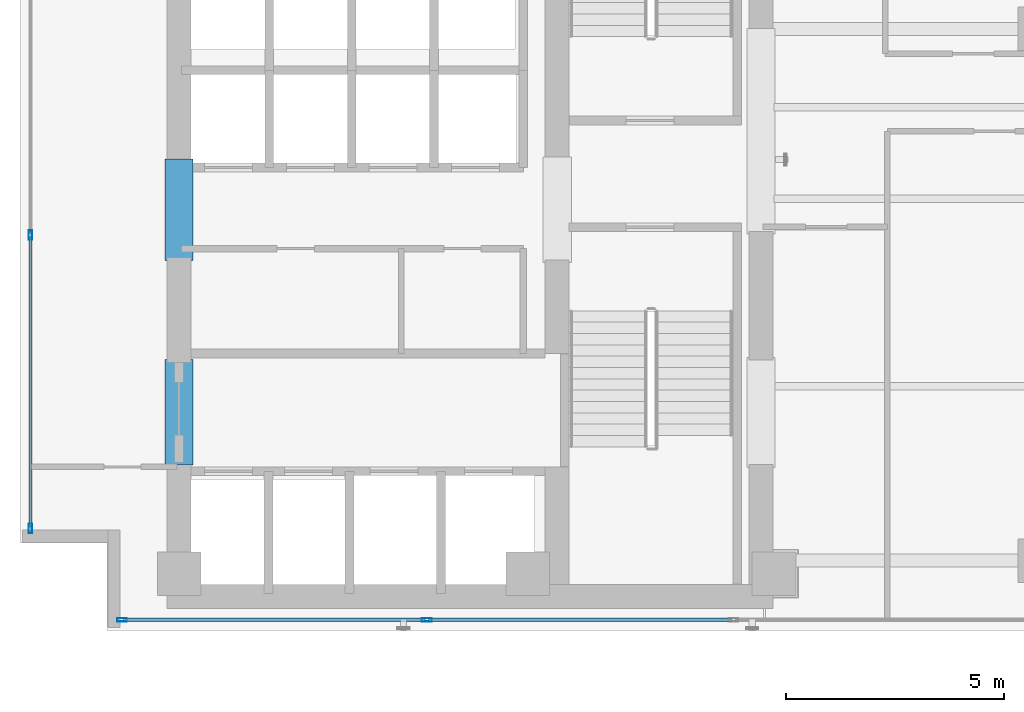
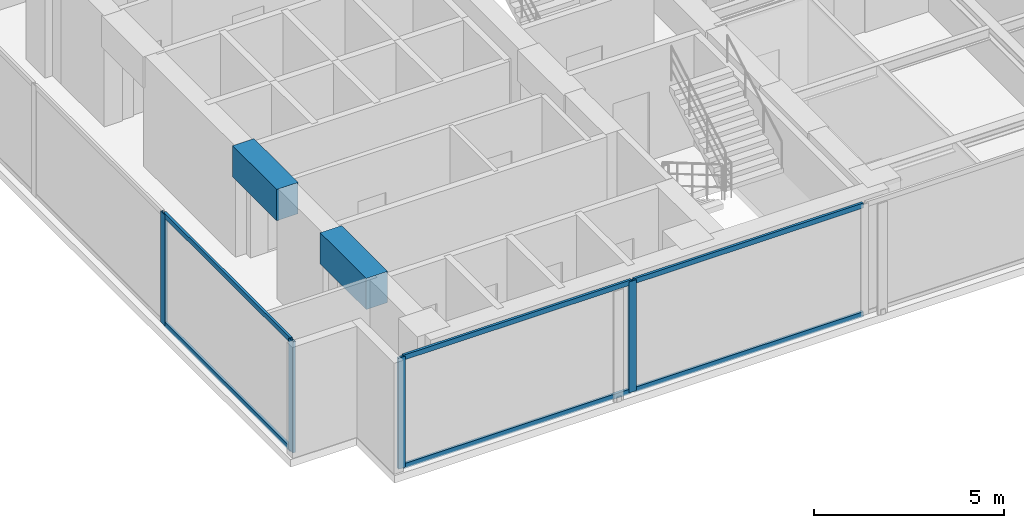
# One storey, part 2 of 23: 10 members, 2 beams, 2 elements without a shape of their own.
"""IFC4 building model written with IfcOpenShell, lengths in metres."""

from ifc_helpers import new_model, si_unit, direction, frame, origin, origin_with_axes, origin_2d, place, context, subcontext, project, spatial, rectangle, hollow_rectangle, extrude, source, transform, mapped, material, layer, layer_set, material_profile, profile_set, type_object, element, aggregate, save


model = new_model("IFC4")

# Units and contexts
model_context = context("Model", 3, precision=1e-05, world=origin(), true_north=direction((0.0, 1.0)))
body_context = subcontext(model_context, "Body", "Model", "MODEL_VIEW")
ifc_project = project(units=[si_unit("LENGTHUNIT", "METRE"), si_unit("AREAUNIT", "SQUARE_METRE"), si_unit("VOLUMEUNIT", "CUBIC_METRE"), si_unit("PLANEANGLEUNIT", "RADIAN"), si_unit("MASSUNIT", "GRAM", prefix="KILO")], contexts=[model_context])

# Site, building, storey
site_placement = place(None, origin())
site = spatial("IfcSite", under=ifc_project, at=site_placement, CompositionType="ELEMENT")
building_placement = place(site_placement, origin())
building = spatial("IfcBuilding", under=site, at=building_placement, Name="Kolvaren Waterfront Exchange", CompositionType="ELEMENT")
storey_placement = place(building_placement, frame((0.0, 0.0, 212.10009765625)))
storey = spatial("IfcBuildingStorey", under=building, at=storey_placement, Name="L54", CompositionType="ELEMENT", Elevation=212.10009765625)

# Beams
ifc_material_1 = material(Name="Concrete C60/75", Category="concrete")
ifc_material_profile_1 = material_profile(ifc_material_1, rectangle(XDim=0.64990234375, YDim=1.0, at=origin_2d()), Name="RC-CB-1000x650")
ifc_profile_set_1 = profile_set([ifc_material_profile_1], Name="Concrete C60/75")
beam_type = type_object("IfcBeamType", Name="STR-CB-1000", PredefinedType="SPANDREL", material=ifc_profile_set_1)
beam_1_placement = place(storey_placement, frame((7.449951171875, 7.389892578125, 3.059814453125), z_axis=(0.0, 1.0, 0.0), x_axis=(-1.0, 0.0, 0.0)))
element("IfcBeam", 1, at=beam_1_placement, inside=storey, type_object=beam_type, Name="L54 core coupling beam 3", PredefinedType="SPANDREL", context=body_context, shape_type="SweptSolid", body=[
    extrude(rectangle(XDim=0.64990234375, YDim=1.0, at=origin_2d()), origin(), (0.0, 0.0, 1.0), 2.420166015625),
])
beam_2_placement = place(storey_placement, frame((7.449951171875, 12.090087890625, 3.059814453125), z_axis=(0.0, 1.0, 0.0), x_axis=(-1.0, 0.0, 0.0)))
element("IfcBeam", 2, at=beam_2_placement, inside=storey, type_object=beam_type, Name="L54 core coupling beam 4", PredefinedType="SPANDREL", context=body_context, shape_type="SweptSolid", body=[
    extrude(rectangle(XDim=0.64990234375, YDim=1.0, at=origin_2d()), origin(), (0.0, 0.0, 1.0), 2.31982421875),
])

# Curtain wall, members
ifc_material_2 = material(Name="Anodised aluminium 6063-T6", Category="aluminium")
ifc_layer_1 = layer(ifc_material_2, 0.219970703125, Name="Anodised aluminium 6063-T6")
ifc_layer_set_1 = layer_set([ifc_layer_1], Name="Anodised aluminium 6063-T6")
curtain_wall_type_1 = type_object("IfcCurtainWallType", Name="ARC-CW-SYS2", PredefinedType="USERDEFINED", material=ifc_layer_set_1)
curtain_wall_1_placement = place(storey_placement, origin())
curtain_wall_1 = element("IfcCurtainWall", 3, at=curtain_wall_1_placement, inside=storey, type_object=curtain_wall_type_1, Name="L54 stick curtain wall CW2 (CW-L54-W)", ObjectType="STICK CURTAIN WALL", PredefinedType="USERDEFINED")
ifc_material_profile_2 = material_profile(ifc_material_2, hollow_rectangle(XDim=0.074951171875, YDim=0.159912109375, WallThickness=0.00439453125, at=origin_2d()), Name="ALU-TRN-160x75x4.5")
ifc_profile_set_2 = profile_set([ifc_material_profile_2], Name="Anodised aluminium 6063-T6")
member_type_1 = type_object("IfcMemberType", Name="ARC-CWT-160", PredefinedType="USERDEFINED", material=ifc_profile_set_2)
shared_shape_1 = source(origin_with_axes(), body_context, "Body", "SweptSolid", [
    extrude(hollow_rectangle(XDim=0.074951171875, YDim=0.159912109375, WallThickness=0.00439453125, at=origin_2d()), origin(), (0.0, 0.0, 1.0), 6.646728515625),
])
member_1_placement = place(storey_placement, frame((4.0400390625, 5.97998046875, 0.037353515625), z_axis=(0.0, 1.0, 0.0), x_axis=(-1.0, 0.0, 0.0)))
member_1 = element("IfcMember", 4, at=member_1_placement, type_object=member_type_1, Name="CW2 transom 1.1", ObjectType="TRANSOM", PredefinedType="USERDEFINED", context=body_context, shape_type="MappedRepresentation", body=[
    mapped(shared_shape_1, transform((0.0, 0.0, 0.0), x_axis=(1.0, 0.0, 0.0), y_axis=(0.0, 1.0, 0.0), z_axis=(0.0, 0.0, 1.0), scale=1.0)),
])
member_2_placement = place(storey_placement, frame((4.0400390625, 5.97998046875, 3.5224609375), z_axis=(0.0, 1.0, 0.0), x_axis=(-1.0, 0.0, 0.0)))
member_2 = element("IfcMember", 5, at=member_2_placement, type_object=member_type_1, Name="CW2 transom 1.2", ObjectType="TRANSOM", PredefinedType="USERDEFINED", context=body_context, shape_type="MappedRepresentation", body=[
    mapped(shared_shape_1, transform((0.0, 0.0, 0.0), x_axis=(1.0, 0.0, 0.0), y_axis=(0.0, 1.0, 0.0), z_axis=(0.0, 0.0, 1.0), scale=1.0)),
])

ifc_material_3 = material(Name="Anodised bronze aluminium 6063-T6", Category="aluminium")
ifc_layer_2 = layer(ifc_material_3, 0.219970703125, Name="Anodised bronze aluminium 6063-T6")
ifc_layer_set_2 = layer_set([ifc_layer_2], Name="Anodised bronze aluminium 6063-T6")
curtain_wall_type_2 = type_object("IfcCurtainWallType", Name="ARC-CW-SYS1", PredefinedType="USERDEFINED", material=ifc_layer_set_2)
curtain_wall_2_placement = place(storey_placement, origin())
curtain_wall_2 = element("IfcCurtainWall", 6, at=curtain_wall_2_placement, inside=storey, type_object=curtain_wall_type_2, Name="L54 stick curtain wall CW1 (CW-L54-S)", ObjectType="STICK CURTAIN WALL", PredefinedType="USERDEFINED")
ifc_material_profile_3 = material_profile(ifc_material_2, hollow_rectangle(XDim=0.080078125, YDim=0.219970703125, WallThickness=0.0048828125, at=origin_2d()), Name="ALU-MUL-220x80x5")
ifc_profile_set_3 = profile_set([ifc_material_profile_3], Name="Anodised aluminium 6063-T6")
member_type_2 = type_object("IfcMemberType", Name="ARC-CWM-220", PredefinedType="MULLION", material=ifc_profile_set_3)
shared_shape_2 = source(origin_with_axes(), body_context, "Body", "SweptSolid", [
    extrude(hollow_rectangle(XDim=0.080078125, YDim=0.219970703125, WallThickness=0.0048828125, at=origin_2d()), origin(), (0.0, 0.0, 1.0), 3.559814453125),
])
member_3_placement = place(storey_placement, frame((6.139892578125, 3.840087890625, 0.0), z_axis=(0.0, 0.0, 1.0), x_axis=(0.0, 1.0, 0.0)))
member_3 = element("IfcMember", 7, at=member_3_placement, type_object=member_type_2, Name="CW1 mullion 1", PredefinedType="MULLION", context=body_context, shape_type="MappedRepresentation", body=[
    mapped(shared_shape_2, transform((0.0, 0.0, 0.0), x_axis=(1.0, 0.0, 0.0), y_axis=(0.0, 1.0, 0.0), z_axis=(0.0, 0.0, 1.0), scale=1.0)),
])
member_4_placement = place(storey_placement, frame((13.13330078125, 3.840087890625, 0.0), z_axis=(0.0, 0.0, 1.0), x_axis=(0.0, 1.0, 0.0)))
member_4 = element("IfcMember", 8, at=member_4_placement, type_object=member_type_2, Name="CW1 mullion 2", PredefinedType="MULLION", context=body_context, shape_type="MappedRepresentation", body=[
    mapped(shared_shape_2, transform((0.0, 0.0, 0.0), x_axis=(1.0, 0.0, 0.0), y_axis=(0.0, 1.0, 0.0), z_axis=(0.0, 0.0, 1.0), scale=1.0)),
])

# Member
member_5_placement = place(storey_placement, frame((4.0400390625, 5.93994140625, 0.0), z_axis=(0.0, 0.0, 1.0), x_axis=(-1.0, 0.0, 0.0)))
member_5 = element("IfcMember", 9, at=member_5_placement, type_object=member_type_2, Name="CW2 mullion 1", PredefinedType="MULLION", context=body_context, shape_type="MappedRepresentation", body=[
    mapped(shared_shape_2, transform((0.0, 0.0, 0.0), x_axis=(1.0, 0.0, 0.0), y_axis=(0.0, 1.0, 0.0), z_axis=(0.0, 0.0, 1.0), scale=1.0)),
])

member_6_placement = place(storey_placement, frame((4.0400390625, 12.666748046875, 0.0), z_axis=(0.0, 0.0, 1.0), x_axis=(-1.0, 0.0, 0.0)))
member_6 = element("IfcMember", 10, at=member_6_placement, type_object=member_type_2, Name="CW2 mullion 2", PredefinedType="MULLION", context=body_context, shape_type="MappedRepresentation", body=[
    mapped(shared_shape_2, transform((0.0, 0.0, 0.0), x_axis=(1.0, 0.0, 0.0), y_axis=(0.0, 1.0, 0.0), z_axis=(0.0, 0.0, 1.0), scale=1.0)),
])

aggregate(curtain_wall_1, [member_5, member_6, member_1, member_2])

shared_shape_3 = source(origin_with_axes(), body_context, "Body", "SweptSolid", [
    extrude(hollow_rectangle(XDim=0.074951171875, YDim=0.159912109375, WallThickness=0.00439453125, at=origin_2d()), origin(), (0.0, 0.0, 1.0), 6.913330078125),
])
member_7_placement = place(storey_placement, frame((6.179931640625, 3.840087890625, 0.037353515625), z_axis=(1.0, 0.0, 0.0), x_axis=(0.0, 1.0, 0.0)))
member_7 = element("IfcMember", 11, at=member_7_placement, type_object=member_type_1, Name="CW1 transom 1.1", ObjectType="TRANSOM", PredefinedType="USERDEFINED", context=body_context, shape_type="MappedRepresentation", body=[
    mapped(shared_shape_3, transform((0.0, 0.0, 0.0), x_axis=(1.0, 0.0, 0.0), y_axis=(0.0, 1.0, 0.0), z_axis=(0.0, 0.0, 1.0), scale=1.0)),
])

member_8_placement = place(storey_placement, frame((6.179931640625, 3.840087890625, 3.5224609375), z_axis=(1.0, 0.0, 0.0), x_axis=(0.0, 1.0, 0.0)))
member_8 = element("IfcMember", 12, at=member_8_placement, type_object=member_type_1, Name="CW1 transom 1.2", ObjectType="TRANSOM", PredefinedType="USERDEFINED", context=body_context, shape_type="MappedRepresentation", body=[
    mapped(shared_shape_3, transform((0.0, 0.0, 0.0), x_axis=(1.0, 0.0, 0.0), y_axis=(0.0, 1.0, 0.0), z_axis=(0.0, 0.0, 1.0), scale=1.0)),
])

shared_shape_4 = source(origin_with_axes(), body_context, "Body", "SweptSolid", [
    extrude(hollow_rectangle(XDim=0.074951171875, YDim=0.159912109375, WallThickness=0.00439453125, at=origin_2d()), origin(), (0.0, 0.0, 1.0), 6.953369140625),
])
member_9_placement = place(storey_placement, frame((13.17333984375, 3.840087890625, 0.037353515625), z_axis=(1.0, 0.0, 0.0), x_axis=(0.0, 1.0, 0.0)))
member_9 = element("IfcMember", 13, at=member_9_placement, type_object=member_type_1, Name="CW1 transom 2.1", ObjectType="TRANSOM", PredefinedType="USERDEFINED", context=body_context, shape_type="MappedRepresentation", body=[
    mapped(shared_shape_4, transform((0.0, 0.0, 0.0), x_axis=(1.0, 0.0, 0.0), y_axis=(0.0, 1.0, 0.0), z_axis=(0.0, 0.0, 1.0), scale=1.0)),
])

member_10_placement = place(storey_placement, frame((13.17333984375, 3.840087890625, 3.5224609375), z_axis=(1.0, 0.0, 0.0), x_axis=(0.0, 1.0, 0.0)))
member_10 = element("IfcMember", 14, at=member_10_placement, type_object=member_type_1, Name="CW1 transom 2.2", ObjectType="TRANSOM", PredefinedType="USERDEFINED", context=body_context, shape_type="MappedRepresentation", body=[
    mapped(shared_shape_4, transform((0.0, 0.0, 0.0), x_axis=(1.0, 0.0, 0.0), y_axis=(0.0, 1.0, 0.0), z_axis=(0.0, 0.0, 1.0), scale=1.0)),
])

aggregate(curtain_wall_2, [member_3, member_4, member_7, member_8, member_9, member_10])

save(model, "model.ifc")
